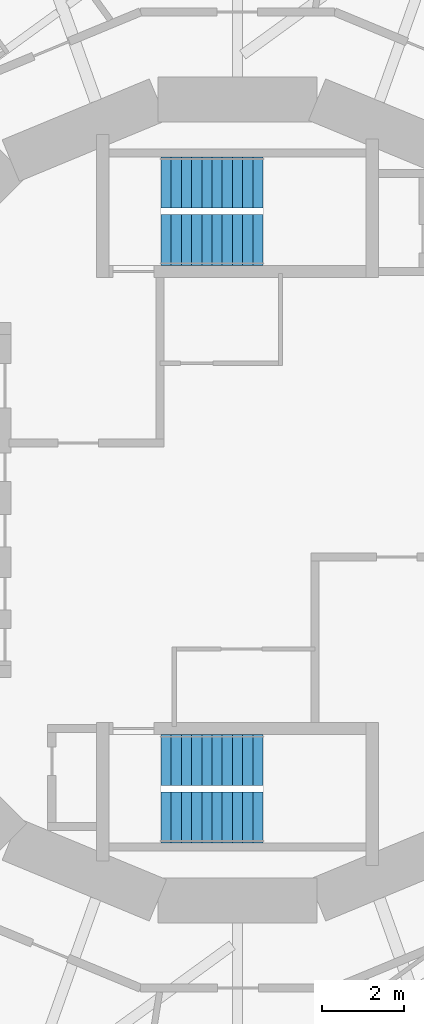
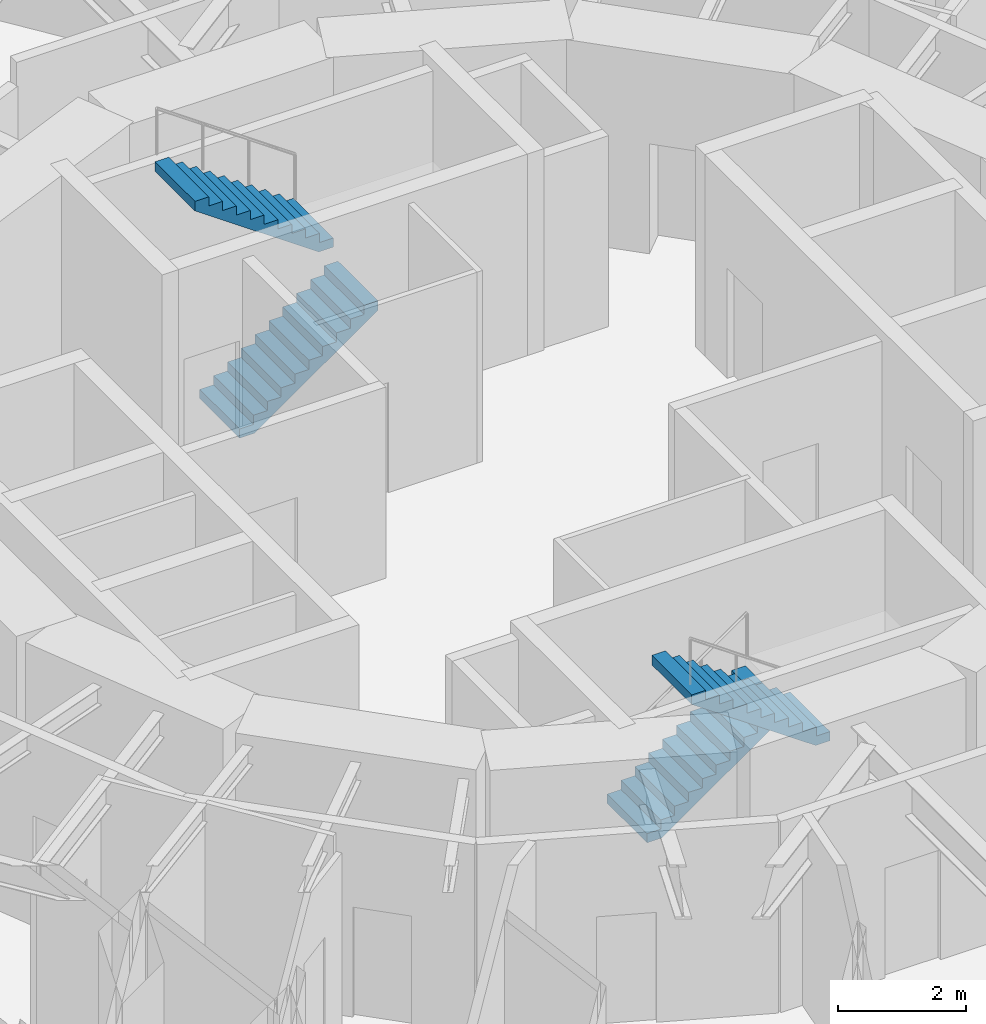
# One storey, part 8 of 9: 4 stair flights, 2 elements without a shape of their own.
"""IFC4 building model written with IfcOpenShell, lengths in metres."""

from ifc_helpers import new_model, si_unit, direction, frame, origin, place, context, subcontext, project, spatial, polyline, outline, extrude, material, type_object, element, aggregate, save


model = new_model("IFC4")

# Units and contexts
model_context = context("Model", 3, precision=1e-05, world=origin(), true_north=direction((0.0, 1.0)))
body_context = subcontext(model_context, "Body", "Model", "MODEL_VIEW")
ifc_project = project(units=[si_unit("LENGTHUNIT", "METRE"), si_unit("AREAUNIT", "SQUARE_METRE"), si_unit("VOLUMEUNIT", "CUBIC_METRE"), si_unit("PLANEANGLEUNIT", "RADIAN"), si_unit("MASSUNIT", "GRAM", prefix="KILO")], contexts=[model_context])

# Site, building, storey
site_placement = place(None, origin())
site = spatial("IfcSite", under=ifc_project, at=site_placement, CompositionType="ELEMENT")
building_placement = place(site_placement, origin())
building = spatial("IfcBuilding", under=site, at=building_placement, Name="Nakasero Lantern House", CompositionType="ELEMENT")
storey_placement = place(building_placement, frame((0.0, 0.0, 267.60009765625)))
storey = spatial("IfcBuildingStorey", under=building, at=storey_placement, Name="L65", CompositionType="ELEMENT", Elevation=267.60009765625)

# Stair, stair flights
ifc_material_1 = material(Name="Concrete C40/50", Category="concrete")
stair_type_1 = type_object("IfcStairType", Name="Escape stair ST1 22 risers", PredefinedType="HALF_TURN_STAIR", material=ifc_material_1)
stair_1_placement = place(storey_placement, origin())
stair_1 = element("IfcStair", 1, at=stair_1_placement, inside=storey, type_object=stair_type_1, Name="Escape stair ST1 L65", PredefinedType="HALF_TURN_STAIR")
ifc_material_2 = material(Name="Concrete C40/50", Category="concrete")
stair_flight_type = type_object("IfcStairFlightType", Name="Escape stair flight", PredefinedType="STRAIGHT", material=ifc_material_2)
stair_flight_1_placement = place(storey_placement, frame((-1.875, 6.375, 0.0), z_axis=(0.0, 0.0, 1.0), x_axis=(1.0, 0.0, 0.0)))
stair_flight_1 = element("IfcStairFlight", 2, at=stair_flight_1_placement, type_object=stair_flight_type, Name="ST1 flight 1", NumberOfRisers=11, NumberOfTreads=10, PredefinedType="STRAIGHT", RiserHeight=0.175, TreadLength=0.25, context=body_context, shape_type="SweptSolid", body=[
    extrude(outline(polyline([(0.0, 0.0), (0.0, 0.175048828125), (0.25, 0.175048828125), (0.25, 0.35009765625), (0.5, 0.35009765625), (0.5, 0.52490234375), (0.75, 0.52490234375), (0.75, 0.699951171875), (1.0, 0.699951171875), (1.0, 0.875), (1.25, 0.875), (1.25, 1.050048828125), (1.5, 1.050048828125), (1.5, 1.22509765625), (1.75, 1.22509765625), (1.75, 1.39990234375), (2.0, 1.39990234375), (2.0, 1.574951171875), (2.25, 1.574951171875), (2.25, 1.75), (2.5, 1.75), (2.5, 1.925048828125), (2.5, 1.567138671875), (0.261474609375, 0.0), (0.0, 0.0)])), frame((0.0, 0.625, 0.0), z_axis=(0.0, -1.0, 0.0), x_axis=(1.0, 0.0, 0.0)), (0.0, 0.0, 1.0), 1.25),
])
stair_flight_2_placement = place(storey_placement, frame((0.625, 7.77490234375, 1.9248046875), z_axis=(0.0, 0.0, 1.0), x_axis=(-1.0, 0.0, 0.0)))
stair_flight_2 = element("IfcStairFlight", 3, at=stair_flight_2_placement, type_object=stair_flight_type, Name="ST1 flight 2", NumberOfRisers=11, NumberOfTreads=10, PredefinedType="STRAIGHT", RiserHeight=0.175, TreadLength=0.25, context=body_context, shape_type="SweptSolid", body=[
    extrude(outline(polyline([(0.0, 0.0), (0.0, 0.175048828125), (0.25, 0.175048828125), (0.25, 0.35009765625), (0.5, 0.35009765625), (0.5, 0.52490234375), (0.75, 0.52490234375), (0.75, 0.699951171875), (1.0, 0.699951171875), (1.0, 0.875), (1.25, 0.875), (1.25, 1.050048828125), (1.5, 1.050048828125), (1.5, 1.22509765625), (1.75, 1.22509765625), (1.75, 1.39990234375), (2.0, 1.39990234375), (2.0, 1.574951171875), (2.25, 1.574951171875), (2.25, 1.75), (2.5, 1.75), (2.5, 1.925048828125), (2.5, 1.567138671875), (0.261474609375, 0.0), (0.0, 0.0)])), frame((0.0, 0.625, 0.0), z_axis=(0.0, -1.0, 0.0), x_axis=(1.0, 0.0, 0.0)), (0.0, 0.0, 1.0), 1.25),
])
aggregate(stair_1, [stair_flight_1, stair_flight_2])

ifc_material_3 = material(Name="Concrete C40/50", Category="concrete")
stair_type_2 = type_object("IfcStairType", Name="Escape stair ST2 22 risers", PredefinedType="HALF_TURN_STAIR", material=ifc_material_3)
stair_2_placement = place(storey_placement, origin())
stair_2 = element("IfcStair", 4, at=stair_2_placement, inside=storey, type_object=stair_type_2, Name="Escape stair ST2 L65", PredefinedType="HALF_TURN_STAIR")
stair_flight_3_placement = place(storey_placement, frame((-1.875, -6.375, 0.0), z_axis=(0.0, 0.0, 1.0), x_axis=(1.0, 0.0, 0.0)))
stair_flight_3 = element("IfcStairFlight", 5, at=stair_flight_3_placement, type_object=stair_flight_type, Name="ST2 flight 1", NumberOfRisers=11, NumberOfTreads=10, PredefinedType="STRAIGHT", RiserHeight=0.175, TreadLength=0.25, context=body_context, shape_type="SweptSolid", body=[
    extrude(outline(polyline([(0.0, 0.0), (0.0, 0.175048828125), (0.25, 0.175048828125), (0.25, 0.35009765625), (0.5, 0.35009765625), (0.5, 0.52490234375), (0.75, 0.52490234375), (0.75, 0.699951171875), (1.0, 0.699951171875), (1.0, 0.875), (1.25, 0.875), (1.25, 1.050048828125), (1.5, 1.050048828125), (1.5, 1.22509765625), (1.75, 1.22509765625), (1.75, 1.39990234375), (2.0, 1.39990234375), (2.0, 1.574951171875), (2.25, 1.574951171875), (2.25, 1.75), (2.5, 1.75), (2.5, 1.925048828125), (2.5, 1.567138671875), (0.261474609375, 0.0), (0.0, 0.0)])), frame((0.0, 0.625, 0.0), z_axis=(0.0, -1.0, 0.0), x_axis=(1.0, 0.0, 0.0)), (0.0, 0.0, 1.0), 1.25),
])
stair_flight_4_placement = place(storey_placement, frame((0.625, -7.77490234375, 1.9248046875), z_axis=(0.0, 0.0, 1.0), x_axis=(-1.0, 0.0, 0.0)))
stair_flight_4 = element("IfcStairFlight", 6, at=stair_flight_4_placement, type_object=stair_flight_type, Name="ST2 flight 2", NumberOfRisers=11, NumberOfTreads=10, PredefinedType="STRAIGHT", RiserHeight=0.175, TreadLength=0.25, context=body_context, shape_type="SweptSolid", body=[
    extrude(outline(polyline([(0.0, 0.0), (0.0, 0.175048828125), (0.25, 0.175048828125), (0.25, 0.35009765625), (0.5, 0.35009765625), (0.5, 0.52490234375), (0.75, 0.52490234375), (0.75, 0.699951171875), (1.0, 0.699951171875), (1.0, 0.875), (1.25, 0.875), (1.25, 1.050048828125), (1.5, 1.050048828125), (1.5, 1.22509765625), (1.75, 1.22509765625), (1.75, 1.39990234375), (2.0, 1.39990234375), (2.0, 1.574951171875), (2.25, 1.574951171875), (2.25, 1.75), (2.5, 1.75), (2.5, 1.925048828125), (2.5, 1.567138671875), (0.261474609375, 0.0), (0.0, 0.0)])), frame((0.0, 0.625, 0.0), z_axis=(0.0, -1.0, 0.0), x_axis=(1.0, 0.0, 0.0)), (0.0, 0.0, 1.0), 1.25),
])
aggregate(stair_2, [stair_flight_3, stair_flight_4])

save(model, "model.ifc")
